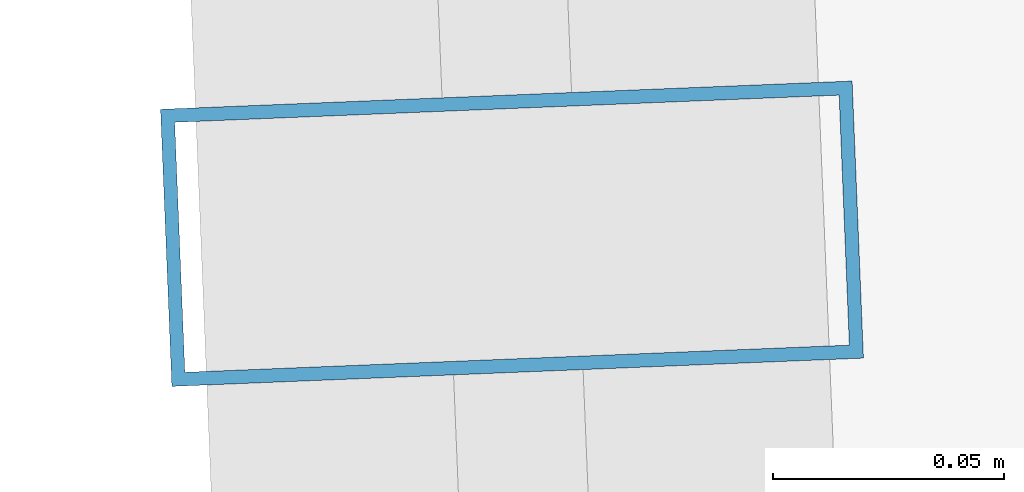
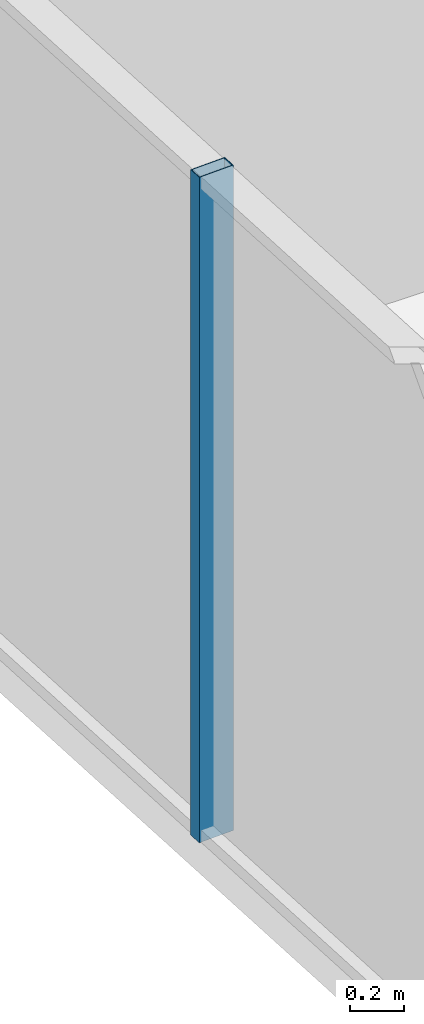
# One storey, part 12 of 33: 1 member, 1 element without a shape of its own.
"""IFC4 building model written with IfcOpenShell, lengths in metres."""

from ifc_helpers import new_model, si_unit, direction, frame, origin, origin_2d, place, context, subcontext, project, spatial, hollow_rectangle, extrude, source, transform, mapped, material, layer, layer_set, material_profile, profile_set, type_object, element, aggregate, save


model = new_model("IFC4")

# Units and contexts
model_context = context("Model", 3, precision=1e-05, world=origin(), true_north=direction((0.0, 1.0)))
body_context = subcontext(model_context, "Body", "Model", "MODEL_VIEW")
ifc_project = project(units=[si_unit("LENGTHUNIT", "METRE"), si_unit("AREAUNIT", "SQUARE_METRE"), si_unit("VOLUMEUNIT", "CUBIC_METRE"), si_unit("PLANEANGLEUNIT", "RADIAN"), si_unit("MASSUNIT", "GRAM", prefix="KILO")], contexts=[model_context])

# Site, building, storey
site_placement = place(None, origin())
site = spatial("IfcSite", under=ifc_project, at=site_placement, CompositionType="ELEMENT")
building_placement = place(site_placement, origin())
building = spatial("IfcBuilding", under=site, at=building_placement, Name="Veraguas Prism Commons", CompositionType="ELEMENT")
storey_placement = place(building_placement, frame((0.0, 0.0, 198.35009765625)))
storey = spatial("IfcBuildingStorey", under=building, at=storey_placement, Name="L56", CompositionType="ELEMENT", Elevation=198.35009765625)

# Curtain wall, member
ifc_material = material(Name="Anodised aluminium EN AW-6063 T6", Category="aluminium")
ifc_layer = layer(ifc_material, 0.14990234375, Name="Unitised Flush Curtain Wall Zone 3", Category="aluminium")
ifc_layer_set = layer_set([ifc_layer], Name="Anodised aluminium EN AW-6063 T6")
curtain_wall_type = type_object("IfcCurtainWallType", Name="Unitised Flush Curtain Wall Zone 3", PredefinedType="NOTDEFINED", material=ifc_layer_set)
curtain_wall_placement = place(storey_placement, origin())
curtain_wall = element("IfcCurtainWall", 1, at=curtain_wall_placement, inside=storey, type_object=curtain_wall_type, Name="Tower Facade Curtain Wall L56-F3", PredefinedType="NOTDEFINED")
ifc_material_profile = material_profile(ifc_material, hollow_rectangle(XDim=0.06005859375, YDim=0.14990234375, WallThickness=0.0029296875, at=origin_2d()), Name="AL60X150X3")
ifc_profile_set = profile_set([ifc_material_profile], Name="Anodised aluminium EN AW-6063 T6")
member_type = type_object("IfcMemberType", Name="Curtain Wall Mullion Upper AL 60x150x3", PredefinedType="MULLION", material=ifc_profile_set)
shared_shape = source(origin(), body_context, "Body", "SweptSolid", [
    extrude(hollow_rectangle(XDim=0.06005859375, YDim=0.14990234375, WallThickness=0.0029296875, at=origin_2d()), origin(), (0.0, 0.0, 1.0), 3.014892578125),
])
member_placement = place(storey_placement, frame((6.304443359375, 23.27685546875, 0.0), z_axis=(0.0, 0.0, 1.0), x_axis=(0.040829351979, -0.999166134343, 0.0)))
member = element("IfcMember", 2, at=member_placement, type_object=member_type, Name="CW-Z3 Mullion 3", PredefinedType="MULLION", context=body_context, shape_type="MappedRepresentation", body=[
    mapped(shared_shape, transform((0.0, 0.0, 0.0), scale=1.0)),
])
aggregate(curtain_wall, [member])

save(model, "model.ifc")
